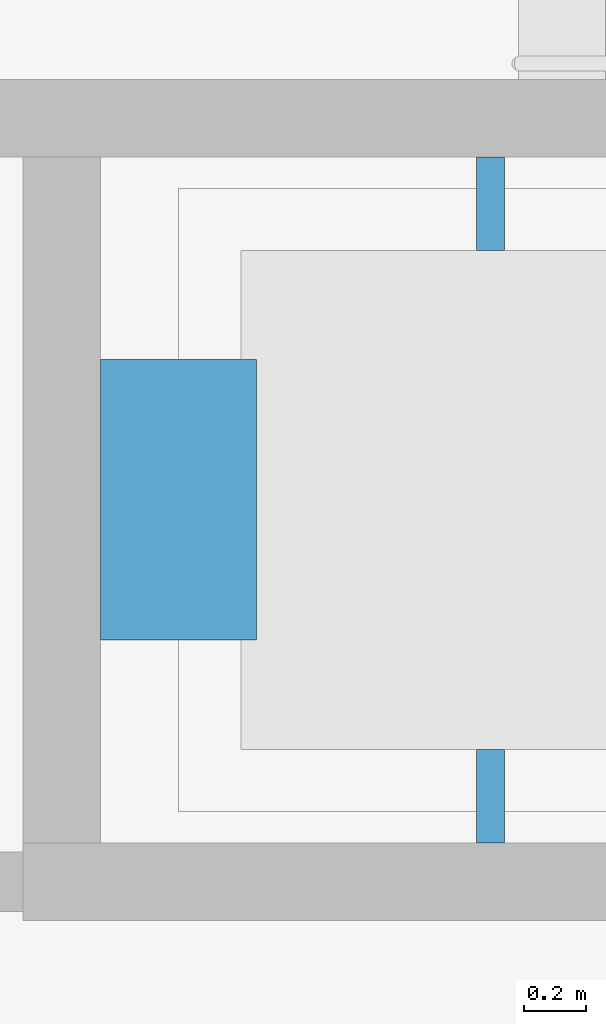
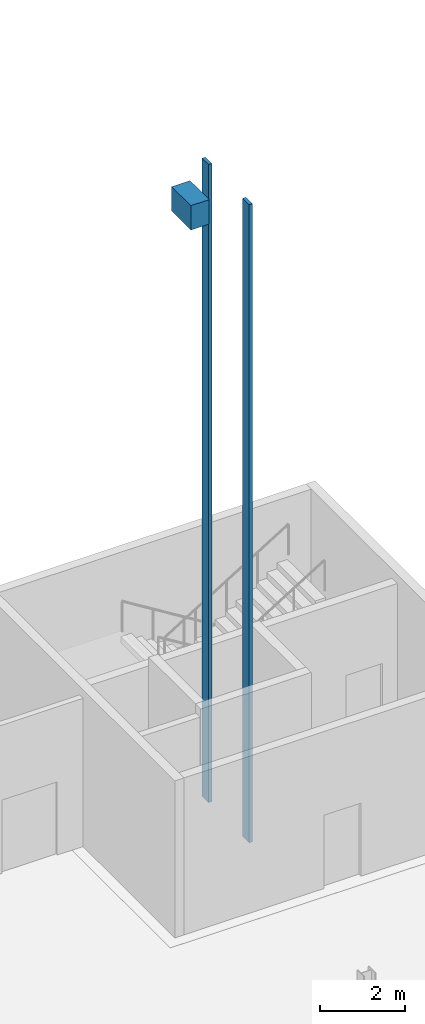
# One storey, part 37 of 41: 3 discrete accessories.
"""IFC4 building model written with IfcOpenShell, lengths in metres."""

import ifcopenshell
import ifcopenshell.guid

model = None  # the IFC model being written
_history = None  # IfcOwnerHistory: only IFC2X3 demands one
_inside = {}  # id of a spatial element -> (the spatial element, [elements in it])
_under = {}  # id of a project, library or spatial element -> (it, [spatial elements below it])
_declared = {}  # id of a project -> (the project, [libraries it declares])
_typed = {}  # id of a type object -> (the type object, [elements of that type])
_made_of = {}  # id of a material, layer set ... -> (it, [elements and type objects made of it])


def new_model(schema):
    """Start an empty IFC model of exactly this schema.

    Asked for "IFC4X3", IfcOpenShell would pick the latest addendum, in which some entities
    have other attributes; the version numbers below select the first issue.
    IFC2X3 requires an IfcOwnerHistory on every rooted entity: one is made here for all.
    """
    global model, _history
    if schema == "IFC4X3":
        model = ifcopenshell.file(schema_version=(4, 3, 0, 0))
    else:
        model = ifcopenshell.file(schema=schema)
    _inside.clear()
    _under.clear()
    _declared.clear()
    _typed.clear()
    _made_of.clear()
    _history = None
    if model.schema == "IFC2X3":
        org = make("IfcOrganization", Name="unknown")
        user = make(
            "IfcPersonAndOrganization",
            ThePerson=make("IfcPerson", FamilyName="unknown"),
            TheOrganization=org,
        )
        app = make(
            "IfcApplication",
            ApplicationDeveloper=org,
            Version="unknown",
            ApplicationFullName="unknown",
            ApplicationIdentifier="unknown",
        )
        _history = make(
            "IfcOwnerHistory",
            OwningUser=user,
            OwningApplication=app,
            ChangeAction="ADDED",
            CreationDate=0,
        )
    return model


def make(cls, **values):
    """One entity of the class cls with the attributes given. An attribute that is None is left unset."""
    return model.create_entity(
        cls, **{name: value for name, value in values.items() if value is not None}
    )


def rooted(cls, **values):
    """An entity with a GlobalId (a new one), such as an element, a storey or a relation."""
    return make(cls, GlobalId=ifcopenshell.guid.new(), OwnerHistory=_history, **values)


def si_unit(unit_type, name, prefix=None):
    """IfcSIUnit, for example si_unit("LENGTHUNIT", "METRE", prefix="MILLI")."""
    return make("IfcSIUnit", UnitType=unit_type, Prefix=prefix, Name=name)


def assignment(units):
    """IfcUnitAssignment: the units of a project."""
    return None if units is None else make("IfcUnitAssignment", Units=units)


def point(xyz):
    """IfcCartesianPoint."""
    return None if xyz is None else make("IfcCartesianPoint", Coordinates=xyz)


def direction(xyz):
    """IfcDirection."""
    return None if xyz is None else make("IfcDirection", DirectionRatios=xyz)


def frame(location, z_axis=None, x_axis=None):
    """IfcAxis2Placement3D, a coordinate frame: its origin and axes. An axis left out is left unset."""
    return make(
        "IfcAxis2Placement3D",
        Location=point(location),
        Axis=direction(z_axis),
        RefDirection=direction(x_axis),
    )


def frame_2d(location, x_axis=None):
    """IfcAxis2Placement2D, a coordinate frame in the plane: its origin and x axis."""
    return make(
        "IfcAxis2Placement2D", Location=point(location), RefDirection=direction(x_axis)
    )


def origin():
    """The frame at (0, 0, 0) with its axes left unset."""
    return frame((0.0, 0.0, 0.0))


def origin_2d():
    """The frame at (0, 0) in the plane with its x axis left unset."""
    return frame_2d((0.0, 0.0))


def place(relative_to, where):
    """IfcLocalPlacement: puts the frame where relative to a parent placement (None: the world)."""
    return make(
        "IfcLocalPlacement", PlacementRelTo=relative_to, RelativePlacement=where
    )


def context(
    kind, dimensions, precision=None, world=None, true_north=None, identifier=None
):
    """IfcGeometricRepresentationContext, for example the 3D "Model" context."""
    return make(
        "IfcGeometricRepresentationContext",
        ContextIdentifier=identifier,
        ContextType=kind,
        CoordinateSpaceDimension=dimensions,
        Precision=precision,
        WorldCoordinateSystem=world,
        TrueNorth=true_north,
    )


def subcontext(parent, identifier, kind, view, scale=None):
    """IfcGeometricRepresentationSubContext, for example "Body" below "Model"."""
    return make(
        "IfcGeometricRepresentationSubContext",
        ContextIdentifier=identifier,
        ContextType=kind,
        ParentContext=parent,
        TargetScale=scale,
        TargetView=view,
    )


def project(units=None, contexts=None):
    """IfcProject with its units and contexts."""
    return rooted(
        "IfcProject",
        Name="project",
        RepresentationContexts=contexts,
        UnitsInContext=assignment(units),
    )


def spatial(cls, under=None, at=None, **own):
    """A site, building, storey or space (cls), placed at a placement, below another one or the project."""
    s = rooted(cls, ObjectPlacement=at, **own)
    if under is not None:
        _under.setdefault(under.id(), (under, []))[1].append(s)
    return s


def profile(cls, at=None, kind="AREA", **sizes):
    """A parametric profile (cls). Its sizes go by their IFC names, for example OverallWidth=200.0."""
    return make(cls, ProfileType=kind, Position=at, **sizes)


def rectangle(**sizes):
    """IfcRectangleProfileDef."""
    return profile("IfcRectangleProfileDef", **sizes)


def extrude(swept, where, along, depth):
    """IfcExtrudedAreaSolid: the profile swept, set in the frame where, extruded along a direction by depth."""
    return make(
        "IfcExtrudedAreaSolid",
        SweptArea=swept,
        Position=where,
        ExtrudedDirection=direction(along),
        Depth=depth,
    )


def shape(context_of_items, identifier, shape_type, items):
    """IfcShapeRepresentation: the items that make up one representation, for example the "Body"."""
    return make(
        "IfcShapeRepresentation",
        ContextOfItems=context_of_items,
        RepresentationIdentifier=identifier,
        RepresentationType=shape_type,
        Items=items,
    )


def material(Name=None, Category=None):
    """IfcMaterial."""
    return make("IfcMaterial", Name=Name, Category=Category)


def made_of(thing, what):
    """Note that an element or type object is made of a material, layer set ...; save() writes the relation."""
    if what is not None:
        _made_of.setdefault(what.id(), (what, []))[1].append(thing)
    return thing


def type_object(cls, material=None, **own):
    """A type object (cls), such as IfcWallType, which elements share."""
    return made_of(rooted(cls, **own), material)


def element(
    cls,
    number,
    at=None,
    inside=None,
    cuts=None,
    type_object=None,
    material=None,
    context=None,
    identifier="Body",
    shape_type=None,
    held_by="IfcProductDefinitionShape",
    body=None,
    shapes=None,
    **own,
):
    """One element of the class cls, such as IfcWall. Its Tag is "e" and its number.

    at: its placement. inside: the storey or other place that contains it. cuts: it is an
    opening in that element (IfcRelVoidsElement). A single representation is given by context,
    identifier, shape_type and body (its items); several are given by shapes. held_by: the class
    of the entity that holds the representations. save() writes the other relations.
    """
    e = rooted(cls, Tag="e%d" % number, ObjectPlacement=at, **own)
    if body is not None:
        shapes = [shape(context, identifier, shape_type, body)]
    if shapes is not None:
        e.Representation = make(held_by, Representations=shapes)
    if inside is not None:
        _inside.setdefault(inside.id(), (inside, []))[1].append(e)
    if cuts is not None:
        rooted(
            "IfcRelVoidsElement", RelatingBuildingElement=cuts, RelatedOpeningElement=e
        )
    if type_object is not None:
        _typed.setdefault(type_object.id(), (type_object, []))[1].append(e)
    return made_of(e, material)


def aggregate(whole, parts):
    """IfcRelAggregates: a whole, such as a stair, and the parts it consists of."""
    return rooted("IfcRelAggregates", RelatingObject=whole, RelatedObjects=parts)


def save(model, path):
    """Write the relations noted so far, then the file.

    IfcRelAggregates (storeys below a building ...), IfcRelContainedInSpatialStructure (elements
    in a storey), IfcRelDefinesByType, IfcRelAssociatesMaterial and IfcRelDeclares: one each for
    every whole, place, type object, material and project.
    """
    for whole, parts in _under.values():
        aggregate(whole, parts)
    for where, things in _inside.values():
        rooted(
            "IfcRelContainedInSpatialStructure",
            RelatedElements=things,
            RelatingStructure=where,
        )
    for kind, things in _typed.values():
        rooted("IfcRelDefinesByType", RelatedObjects=things, RelatingType=kind)
    for what, things in _made_of.values():
        rooted("IfcRelAssociatesMaterial", RelatedObjects=things, RelatingMaterial=what)
    for by, libraries in _declared.values():
        rooted("IfcRelDeclares", RelatingContext=by, RelatedDefinitions=libraries)
    model.write(path)


model = new_model("IFC4")

# Units and contexts
model_context = context("Model", 3, precision=1e-05, world=origin(), true_north=direction((0.0, 1.0)))
body_context = subcontext(model_context, "Body", "Model", "MODEL_VIEW")
ifc_project = project(units=[si_unit("LENGTHUNIT", "METRE"), si_unit("AREAUNIT", "SQUARE_METRE"), si_unit("VOLUMEUNIT", "CUBIC_METRE"), si_unit("PLANEANGLEUNIT", "RADIAN"), si_unit("MASSUNIT", "GRAM", prefix="KILO")], contexts=[model_context])

# Site, building, storey
site_placement = place(None, origin())
site = spatial("IfcSite", under=ifc_project, at=site_placement, CompositionType="ELEMENT")
building_placement = place(site_placement, origin())
building = spatial("IfcBuilding", under=site, at=building_placement, Name="Corbel Yard City Hall", CompositionType="ELEMENT")
storey_placement = place(building_placement, frame((0.0, 0.0, -4.5)))
storey = spatial("IfcBuildingStorey", under=building, at=storey_placement, Name="B1", CompositionType="ELEMENT", Elevation=-4.5)

# Discrete accessories
ifc_material = material(Name="Steel Grade G250", Category="steel")
discrete_accessory_type_1 = type_object("IfcDiscreteAccessoryType", Name="LM1", PredefinedType="USERDEFINED", material=ifc_material)
discrete_accessory_placement = place(storey_placement, frame((173.5, 111.60009765625, 17.60009765625), z_axis=(0.0, 0.0, 1.0), x_axis=(1.0, 0.0, 0.0)))
element("IfcDiscreteAccessory", 1, at=discrete_accessory_placement, inside=storey, type_object=discrete_accessory_type_1, Name="Lift LP19 drive machine", ObjectType="LIFT MACHINE", PredefinedType="USERDEFINED", context=body_context, shape_type="SweptSolid", body=[
    extrude(rectangle(XDim=0.5, YDim=0.89990234375, at=origin_2d()), origin(), (0.0, 0.0, 1.0), 0.699951171875),
])
discrete_accessory_type_2 = type_object("IfcDiscreteAccessoryType", Name="LR1", PredefinedType="USERDEFINED", material=ifc_material)
for number, where, z_axis, x_axis, name in (
    (2, (174.5, 110.64990234375, 0.0), (0.0, 0.0, 1.0), (1.0, 0.0, 0.0), "Lift LP19 guide rail 1"),
    (3, (174.5, 112.550048828125, 0.0), (0.0, 0.0, 1.0), (1.0, 0.0, 0.0), "Lift LP19 guide rail 2"),
):
    element("IfcDiscreteAccessory", number, at=place(storey_placement, frame(where, z_axis=z_axis, x_axis=x_axis)), inside=storey, type_object=discrete_accessory_type_2, Name=name, ObjectType="GUIDE RAIL", PredefinedType="USERDEFINED", context=body_context, shape_type="SweptSolid", body=[
        extrude(rectangle(XDim=0.090087890625, YDim=0.300048828125, at=origin_2d()), origin(), (0.0, 0.0, 1.0), 18.300048828125),
    ])

save(model, "model.ifc")
